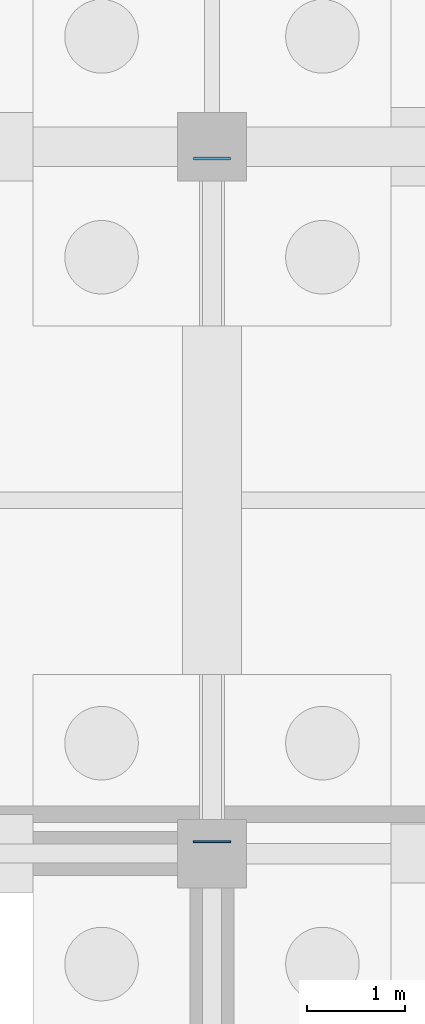
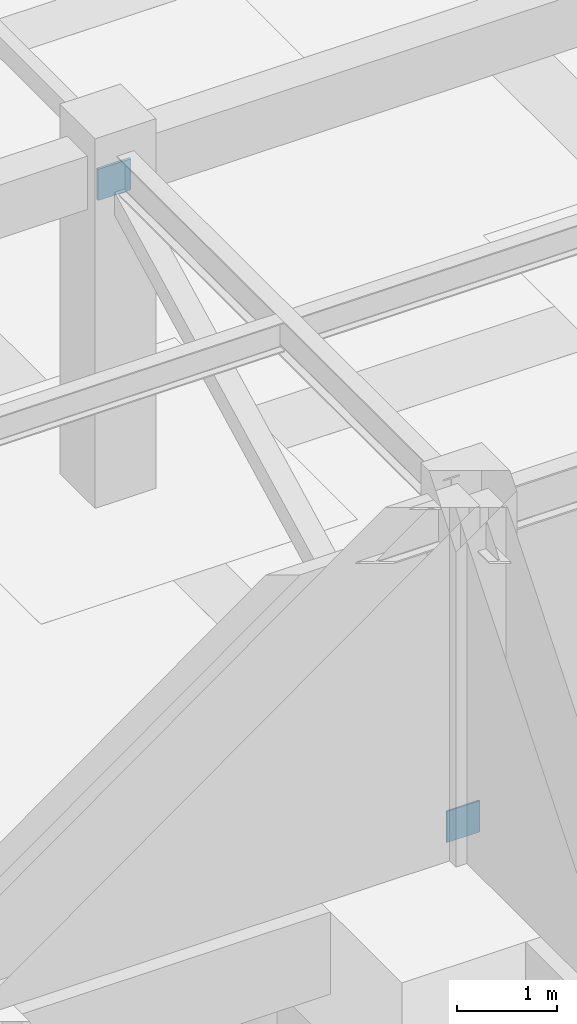
# One storey, part 33 of 48: 2 plates.
"""IFC4 building model written with IfcOpenShell, lengths in metres."""

import ifcopenshell
import ifcopenshell.guid

model = None  # the IFC model being written
_history = None  # IfcOwnerHistory: only IFC2X3 demands one
_inside = {}  # id of a spatial element -> (the spatial element, [elements in it])
_under = {}  # id of a project, library or spatial element -> (it, [spatial elements below it])
_declared = {}  # id of a project -> (the project, [libraries it declares])
_typed = {}  # id of a type object -> (the type object, [elements of that type])
_made_of = {}  # id of a material, layer set ... -> (it, [elements and type objects made of it])


def new_model(schema):
    """Start an empty IFC model of exactly this schema.

    Asked for "IFC4X3", IfcOpenShell would pick the latest addendum, in which some entities
    have other attributes; the version numbers below select the first issue.
    IFC2X3 requires an IfcOwnerHistory on every rooted entity: one is made here for all.
    """
    global model, _history
    if schema == "IFC4X3":
        model = ifcopenshell.file(schema_version=(4, 3, 0, 0))
    else:
        model = ifcopenshell.file(schema=schema)
    _inside.clear()
    _under.clear()
    _declared.clear()
    _typed.clear()
    _made_of.clear()
    _history = None
    if model.schema == "IFC2X3":
        org = make("IfcOrganization", Name="unknown")
        user = make(
            "IfcPersonAndOrganization",
            ThePerson=make("IfcPerson", FamilyName="unknown"),
            TheOrganization=org,
        )
        app = make(
            "IfcApplication",
            ApplicationDeveloper=org,
            Version="unknown",
            ApplicationFullName="unknown",
            ApplicationIdentifier="unknown",
        )
        _history = make(
            "IfcOwnerHistory",
            OwningUser=user,
            OwningApplication=app,
            ChangeAction="ADDED",
            CreationDate=0,
        )
    return model


def make(cls, **values):
    """One entity of the class cls with the attributes given. An attribute that is None is left unset."""
    return model.create_entity(
        cls, **{name: value for name, value in values.items() if value is not None}
    )


def rooted(cls, **values):
    """An entity with a GlobalId (a new one), such as an element, a storey or a relation."""
    return make(cls, GlobalId=ifcopenshell.guid.new(), OwnerHistory=_history, **values)


def si_unit(unit_type, name, prefix=None):
    """IfcSIUnit, for example si_unit("LENGTHUNIT", "METRE", prefix="MILLI")."""
    return make("IfcSIUnit", UnitType=unit_type, Prefix=prefix, Name=name)


def assignment(units):
    """IfcUnitAssignment: the units of a project."""
    return None if units is None else make("IfcUnitAssignment", Units=units)


def point(xyz):
    """IfcCartesianPoint."""
    return None if xyz is None else make("IfcCartesianPoint", Coordinates=xyz)


def direction(xyz):
    """IfcDirection."""
    return None if xyz is None else make("IfcDirection", DirectionRatios=xyz)


def frame(location, z_axis=None, x_axis=None):
    """IfcAxis2Placement3D, a coordinate frame: its origin and axes. An axis left out is left unset."""
    return make(
        "IfcAxis2Placement3D",
        Location=point(location),
        Axis=direction(z_axis),
        RefDirection=direction(x_axis),
    )


def frame_2d(location, x_axis=None):
    """IfcAxis2Placement2D, a coordinate frame in the plane: its origin and x axis."""
    return make(
        "IfcAxis2Placement2D", Location=point(location), RefDirection=direction(x_axis)
    )


def origin():
    """The frame at (0, 0, 0) with its axes left unset."""
    return frame((0.0, 0.0, 0.0))


def origin_2d():
    """The frame at (0, 0) in the plane with its x axis left unset."""
    return frame_2d((0.0, 0.0))


def place(relative_to, where):
    """IfcLocalPlacement: puts the frame where relative to a parent placement (None: the world)."""
    return make(
        "IfcLocalPlacement", PlacementRelTo=relative_to, RelativePlacement=where
    )


def context(
    kind, dimensions, precision=None, world=None, true_north=None, identifier=None
):
    """IfcGeometricRepresentationContext, for example the 3D "Model" context."""
    return make(
        "IfcGeometricRepresentationContext",
        ContextIdentifier=identifier,
        ContextType=kind,
        CoordinateSpaceDimension=dimensions,
        Precision=precision,
        WorldCoordinateSystem=world,
        TrueNorth=true_north,
    )


def subcontext(parent, identifier, kind, view, scale=None):
    """IfcGeometricRepresentationSubContext, for example "Body" below "Model"."""
    return make(
        "IfcGeometricRepresentationSubContext",
        ContextIdentifier=identifier,
        ContextType=kind,
        ParentContext=parent,
        TargetScale=scale,
        TargetView=view,
    )


def project(units=None, contexts=None):
    """IfcProject with its units and contexts."""
    return rooted(
        "IfcProject",
        Name="project",
        RepresentationContexts=contexts,
        UnitsInContext=assignment(units),
    )


def spatial(cls, under=None, at=None, **own):
    """A site, building, storey or space (cls), placed at a placement, below another one or the project."""
    s = rooted(cls, ObjectPlacement=at, **own)
    if under is not None:
        _under.setdefault(under.id(), (under, []))[1].append(s)
    return s


def profile(cls, at=None, kind="AREA", **sizes):
    """A parametric profile (cls). Its sizes go by their IFC names, for example OverallWidth=200.0."""
    return make(cls, ProfileType=kind, Position=at, **sizes)


def rectangle(**sizes):
    """IfcRectangleProfileDef."""
    return profile("IfcRectangleProfileDef", **sizes)


def extrude(swept, where, along, depth):
    """IfcExtrudedAreaSolid: the profile swept, set in the frame where, extruded along a direction by depth."""
    return make(
        "IfcExtrudedAreaSolid",
        SweptArea=swept,
        Position=where,
        ExtrudedDirection=direction(along),
        Depth=depth,
    )


def shape(context_of_items, identifier, shape_type, items):
    """IfcShapeRepresentation: the items that make up one representation, for example the "Body"."""
    return make(
        "IfcShapeRepresentation",
        ContextOfItems=context_of_items,
        RepresentationIdentifier=identifier,
        RepresentationType=shape_type,
        Items=items,
    )


def material(Name=None, Category=None):
    """IfcMaterial."""
    return make("IfcMaterial", Name=Name, Category=Category)


def layer(
    of_material, thickness, ventilated=None, Name=None, Category=None, Priority=None
):
    """IfcMaterialLayer: one layer of a wall or slab, of a material (None: an air gap)."""
    return make(
        "IfcMaterialLayer",
        Material=of_material,
        LayerThickness=thickness,
        IsVentilated=ventilated,
        Name=Name,
        Category=Category,
        Priority=Priority,
    )


def layer_set(layers, Name=None):
    """IfcMaterialLayerSet."""
    return make("IfcMaterialLayerSet", MaterialLayers=layers, LayerSetName=Name)


def made_of(thing, what):
    """Note that an element or type object is made of a material, layer set ...; save() writes the relation."""
    if what is not None:
        _made_of.setdefault(what.id(), (what, []))[1].append(thing)
    return thing


def type_object(cls, material=None, **own):
    """A type object (cls), such as IfcWallType, which elements share."""
    return made_of(rooted(cls, **own), material)


def element(
    cls,
    number,
    at=None,
    inside=None,
    cuts=None,
    type_object=None,
    material=None,
    context=None,
    identifier="Body",
    shape_type=None,
    held_by="IfcProductDefinitionShape",
    body=None,
    shapes=None,
    **own,
):
    """One element of the class cls, such as IfcWall. Its Tag is "e" and its number.

    at: its placement. inside: the storey or other place that contains it. cuts: it is an
    opening in that element (IfcRelVoidsElement). A single representation is given by context,
    identifier, shape_type and body (its items); several are given by shapes. held_by: the class
    of the entity that holds the representations. save() writes the other relations.
    """
    e = rooted(cls, Tag="e%d" % number, ObjectPlacement=at, **own)
    if body is not None:
        shapes = [shape(context, identifier, shape_type, body)]
    if shapes is not None:
        e.Representation = make(held_by, Representations=shapes)
    if inside is not None:
        _inside.setdefault(inside.id(), (inside, []))[1].append(e)
    if cuts is not None:
        rooted(
            "IfcRelVoidsElement", RelatingBuildingElement=cuts, RelatedOpeningElement=e
        )
    if type_object is not None:
        _typed.setdefault(type_object.id(), (type_object, []))[1].append(e)
    return made_of(e, material)


def aggregate(whole, parts):
    """IfcRelAggregates: a whole, such as a stair, and the parts it consists of."""
    return rooted("IfcRelAggregates", RelatingObject=whole, RelatedObjects=parts)


def save(model, path):
    """Write the relations noted so far, then the file.

    IfcRelAggregates (storeys below a building ...), IfcRelContainedInSpatialStructure (elements
    in a storey), IfcRelDefinesByType, IfcRelAssociatesMaterial and IfcRelDeclares: one each for
    every whole, place, type object, material and project.
    """
    for whole, parts in _under.values():
        aggregate(whole, parts)
    for where, things in _inside.values():
        rooted(
            "IfcRelContainedInSpatialStructure",
            RelatedElements=things,
            RelatingStructure=where,
        )
    for kind, things in _typed.values():
        rooted("IfcRelDefinesByType", RelatedObjects=things, RelatingType=kind)
    for what, things in _made_of.values():
        rooted("IfcRelAssociatesMaterial", RelatedObjects=things, RelatingMaterial=what)
    for by, libraries in _declared.values():
        rooted("IfcRelDeclares", RelatingContext=by, RelatedDefinitions=libraries)
    model.write(path)


model = new_model("IFC4")

# Units and contexts
model_context = context("Model", 3, precision=1e-05, world=origin(), true_north=direction((0.0, 1.0)))
body_context = subcontext(model_context, "Body", "Model", "MODEL_VIEW")
ifc_project = project(units=[si_unit("LENGTHUNIT", "METRE"), si_unit("AREAUNIT", "SQUARE_METRE"), si_unit("VOLUMEUNIT", "CUBIC_METRE"), si_unit("PLANEANGLEUNIT", "RADIAN"), si_unit("MASSUNIT", "GRAM", prefix="KILO")], contexts=[model_context])

# Site, building, storey
site_placement = place(None, origin())
site = spatial("IfcSite", under=ifc_project, at=site_placement, CompositionType="ELEMENT")
building_placement = place(site_placement, origin())
building = spatial("IfcBuilding", under=site, at=building_placement, Name="Carrowvane Square Congress Hotel", CompositionType="ELEMENT")
storey_placement = place(building_placement, frame((0.0, 0.0, -4.5)))
storey = spatial("IfcBuildingStorey", under=building, at=storey_placement, Name="B01", CompositionType="ELEMENT", Elevation=-4.5)

# Plates
ifc_material_1 = material(Name="Steel S355", Category="steel")
ifc_layer_1 = layer(ifc_material_1, 0.02001953125)
ifc_layer_set_1 = layer_set([ifc_layer_1], Name="Steel S355")
plate_type_1 = type_object("IfcPlateType", Name="PLT-GUS-20", PredefinedType="SHEET", material=ifc_layer_set_1)
plate_1_placement = place(storey_placement, frame((134.0, 55.919921875, -0.0400390625), z_axis=(0.0, 0.0, 1.0), x_axis=(1.0, 0.0, 0.0)))
element("IfcPlate", 1, at=plate_1_placement, inside=storey, type_object=plate_type_1, Name="B01 brace connection end plate 267", PredefinedType="SHEET", context=body_context, shape_type="SweptSolid", body=[
    extrude(rectangle(XDim=0.3798828125, YDim=0.02001953125, at=origin_2d()), origin(), (0.0, 0.0, 1.0), 0.3798828125),
])
ifc_material_2 = material(Name="Steel S355", Category="steel")
ifc_layer_2 = layer(ifc_material_2, 0.030029296875)
ifc_layer_set_2 = layer_set([ifc_layer_2], Name="Steel S355")
plate_type_2 = type_object("IfcPlateType", Name="PLT-GUS-30", PredefinedType="USERDEFINED", material=ifc_layer_set_2)
plate_2_placement = place(storey_placement, frame((134.0, 62.8798828125, 3.56005859375), z_axis=(0.0, 0.0, 1.0), x_axis=(1.0, 0.0, 0.0)))
element("IfcPlate", 2, at=plate_2_placement, inside=storey, type_object=plate_type_2, Name="B01 brace connection end plate 268", ObjectType="GUSSET PLATE", PredefinedType="USERDEFINED", context=body_context, shape_type="SweptSolid", body=[
    extrude(rectangle(XDim=0.3798828125, YDim=0.030029296875, at=origin_2d()), origin(), (0.0, 0.0, 1.0), 0.3798828125),
])

save(model, "model.ifc")
